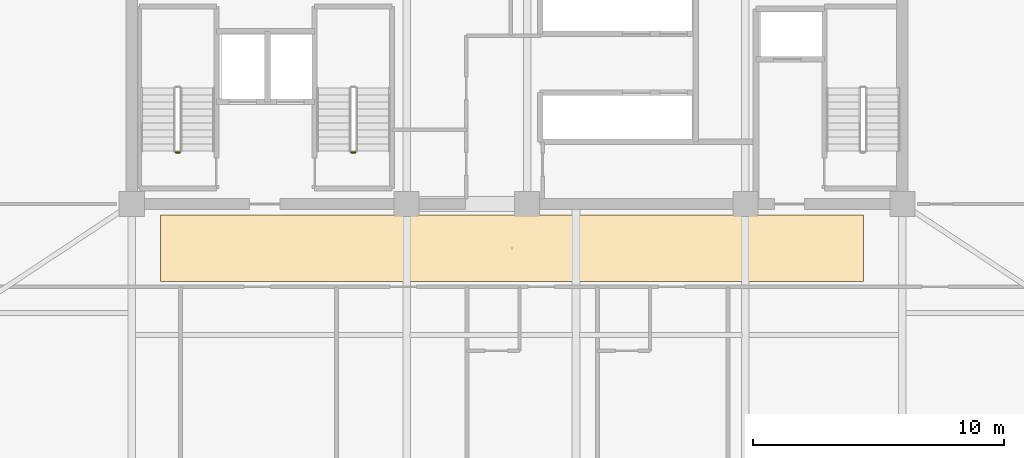
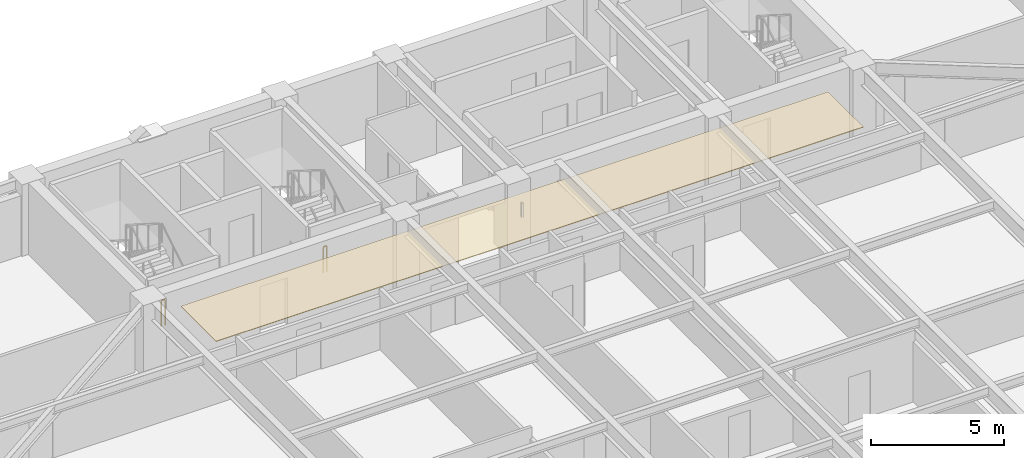
# One storey, part 14 of 17: 2 railings, 1 covering.
"""IFC4 building model written with IfcOpenShell, lengths in metres."""

from ifc_helpers import new_model, si_unit, direction, frame, origin, origin_2d, place, context, subcontext, project, spatial, polyline, rectangle, outline, extrude, material, layer, layer_set, type_object, element, save


model = new_model("IFC4")

# Units and contexts
model_context = context("Model", 3, precision=1e-05, world=origin(), true_north=direction((0.0, 1.0)))
body_context = subcontext(model_context, "Body", "Model", "MODEL_VIEW")
ifc_project = project(units=[si_unit("LENGTHUNIT", "METRE"), si_unit("AREAUNIT", "SQUARE_METRE"), si_unit("VOLUMEUNIT", "CUBIC_METRE"), si_unit("PLANEANGLEUNIT", "RADIAN"), si_unit("MASSUNIT", "GRAM", prefix="KILO")], contexts=[model_context])

# Site, building, storey
site_placement = place(None, origin())
site = spatial("IfcSite", under=ifc_project, at=site_placement, CompositionType="ELEMENT")
building_placement = place(site_placement, origin())
building = spatial("IfcBuilding", under=site, at=building_placement, Name="Giltprow Tower", CompositionType="ELEMENT")
storey_placement = place(building_placement, frame((0.0, 0.0, 202.699951171875)))
storey = spatial("IfcBuildingStorey", under=building, at=storey_placement, Name="L51", CompositionType="ELEMENT", Elevation=202.699951171875)

# Covering
ifc_material_1 = material(Name="Painted gypsum board", Category="gypsum")
ifc_layer = layer(ifc_material_1, 0.030029296875, Name="Painted gypsum board")
ifc_layer_set = layer_set([ifc_layer], Name="Painted gypsum board")
covering_type = type_object("IfcCoveringType", Name="COV-CLG-GYPSUM", PredefinedType="CEILING", material=ifc_layer_set)
covering_placement = place(storey_placement, frame((0.0, 0.0, 2.6201171875)))
element("IfcCovering", 1, at=covering_placement, inside=storey, type_object=covering_type, Name="L51 Hotel Corridor Gypsum Ceiling", PredefinedType="CEILING", context=body_context, shape_type="SweptSolid", body=[
    extrude(outline(polyline([(21.0, 34.35009765625), (49.0, 34.35009765625), (49.0, 37.0), (21.0, 37.0), (21.0, 34.35009765625)])), origin(), (0.0, 0.0, 1.0), 0.030029296875),
])

# Railings
ifc_material_2 = material(Name="Anodized bronze", Category="metal")
railing_type = type_object("IfcRailingType", Name="RAIL-STAIR-GUARD-1200", PredefinedType="GUARDRAIL", material=ifc_material_2)
for number, where, name in (
    (2, (21.760009765625, 39.5, 0.0), "L51 ST-1 stair guard 4"),
    (3, (28.760009765625, 39.5, 0.0), "L51 ST-2 stair guard 4"),
):
    element("IfcRailing", number, at=place(storey_placement, frame(where)), inside=storey, type_object=railing_type, Name=name, PredefinedType="GUARDRAIL", context=body_context, shape_type="SweptSolid", body=[
        extrude(rectangle(XDim=0.048095703125, YDim=0.048095703125, at=origin_2d()), frame((0.0, 0.0, 1.17578125), z_axis=(-1.0, 0.0, 0.0), x_axis=(0.0, -1.0, 0.0)), (0.0, 0.0, 1.0), 0.159912109375),
        extrude(rectangle(XDim=0.0419921875, YDim=0.0419921875, at=origin_2d()), origin(), (0.0, 0.0, 1.0), 1.15185546875),
        extrude(rectangle(XDim=0.0419921875, YDim=0.0419921875, at=origin_2d()), frame((-0.159912109375, 0.0, 0.0)), (0.0, 0.0, 1.0), 1.15185546875),
    ])

save(model, "model.ifc")
